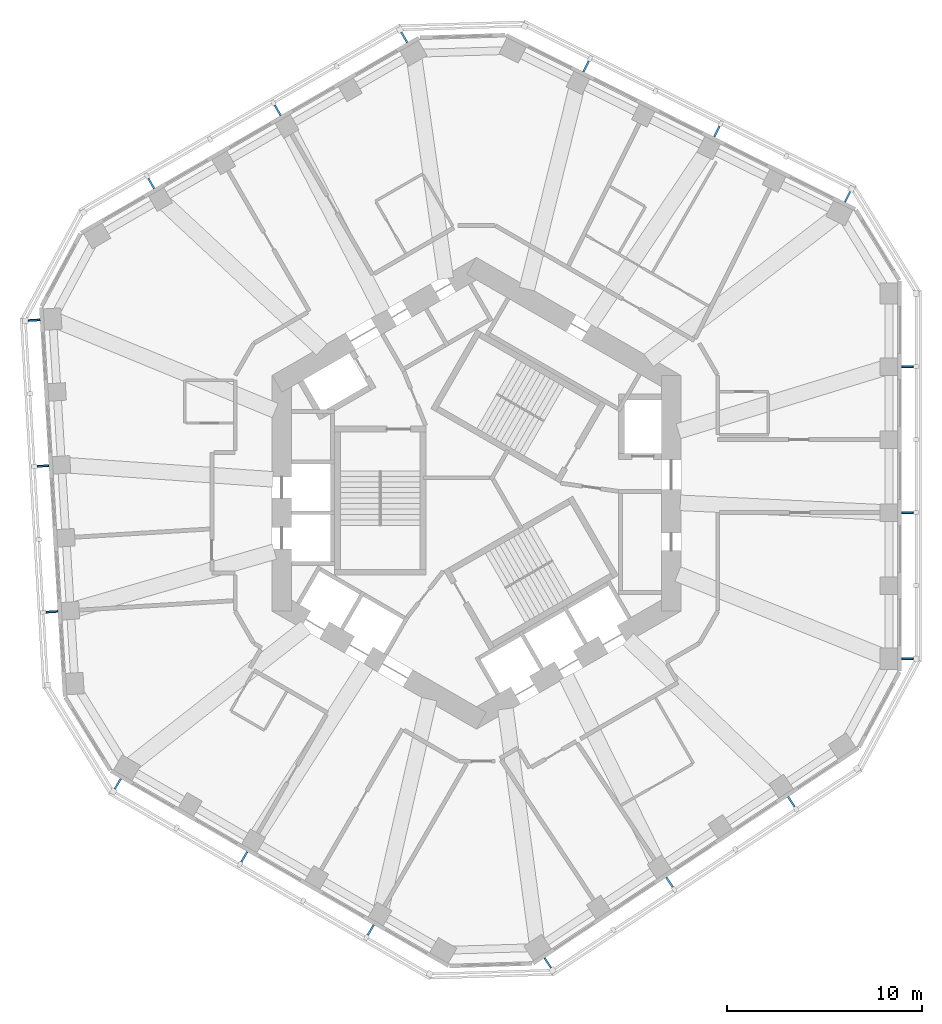
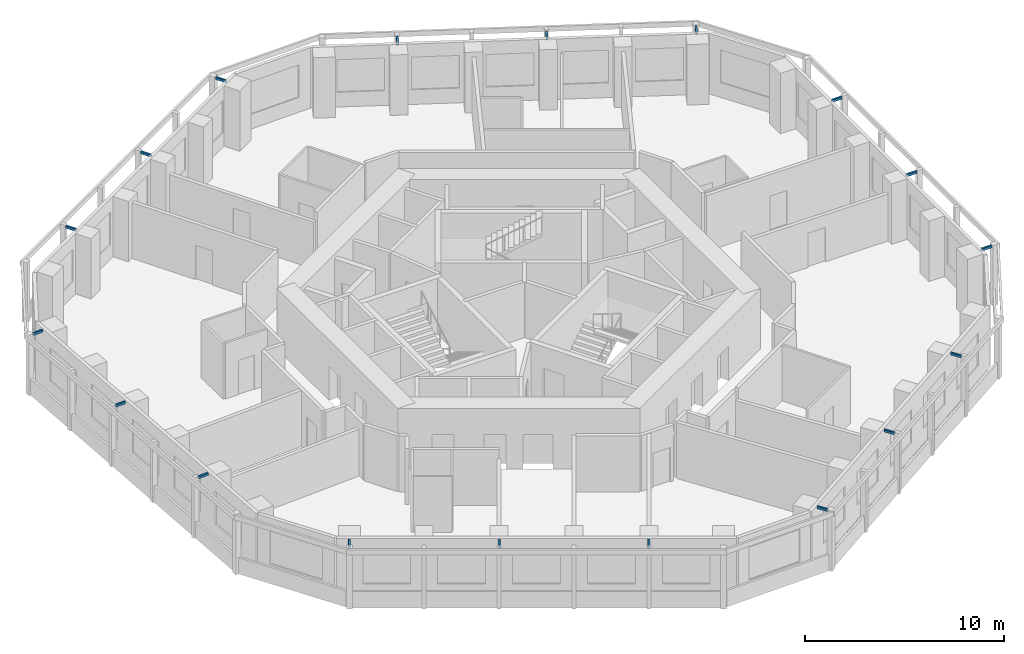
# One storey, part 10 of 11: 18 discrete accessories.
"""IFC4 building model written with IfcOpenShell, lengths in metres."""

from ifc_helpers import new_model, si_unit, direction, frame, origin, origin_2d, place, context, subcontext, project, spatial, rectangle, extrude, material, type_object, element, save


model = new_model("IFC4")

# Units and contexts
model_context = context("Model", 3, precision=1e-05, world=origin(), true_north=direction((0.0, 1.0)))
body_context = subcontext(model_context, "Body", "Model", "MODEL_VIEW")
ifc_project = project(units=[si_unit("LENGTHUNIT", "METRE"), si_unit("AREAUNIT", "SQUARE_METRE"), si_unit("VOLUMEUNIT", "CUBIC_METRE"), si_unit("PLANEANGLEUNIT", "RADIAN"), si_unit("MASSUNIT", "GRAM", prefix="KILO")], contexts=[model_context])

# Site, building, storey
site_placement = place(None, origin())
site = spatial("IfcSite", under=ifc_project, at=site_placement, CompositionType="ELEMENT")
building_placement = place(site_placement, origin())
building = spatial("IfcBuilding", under=site, at=building_placement, Name="Vanh Sen Convention Tower", CompositionType="ELEMENT")
storey_placement = place(building_placement, frame((0.0, 0.0, 183.60009765625)))
storey = spatial("IfcBuildingStorey", under=building, at=storey_placement, Name="L45", CompositionType="ELEMENT", Elevation=183.60009765625)

# Discrete accessories
ifc_material = material(Name="Steel S355", Category="steel")
discrete_accessory_type = type_object("IfcDiscreteAccessoryType", Name="Fin bracket 100 x 150", PredefinedType="BRACKET", material=ifc_material)
for number, where, z_axis, x_axis, name in (
    (1, (22.14990234375, -8.5009765625, 3.5), (0.0, 0.0, 1.0), (1.0, 0.0, 0.0), "Fin bracket E-1 L45"),
    (2, (22.14990234375, -0.992919921875, 3.5), (0.0, 0.0, 1.0), (1.0, 0.0, 0.0), "Fin bracket E-3 L45"),
    (3, (22.14990234375, 6.515380859375, 3.5), (0.0, 0.0, 1.0), (1.0, 0.0, 0.0), "Fin bracket E-5 L45"),
    (4, (19.073974609375, 15.240478515625, 3.5), (0.0, 0.0, 1.0), (0.44619781311, 0.894934361602, 0.0), "Fin bracket NE-1 L45"),
    (5, (12.3544921875, 18.5908203125, 3.5), (0.0, 0.0, 1.0), (0.44619781311, 0.894934361602, 0.0), "Fin bracket NE-3 L45"),
    (6, (5.635009765625, 21.94091796875, 3.5), (0.0, 0.0, 1.0), (0.44619781311, 0.894934361602, 0.0), "Fin bracket NE-5 L45"),
    (7, (-3.712890625, 23.432861328125, 3.5), (0.0, 0.0, 1.0), (-0.5, 0.866025403784, 0.0), "Fin bracket NW-1 L45"),
    (8, (-10.215087890625, 19.6787109375, 3.5), (0.0, 0.0, 1.0), (-0.5, 0.866025403784, 0.0), "Fin bracket NW-3 L45"),
    (9, (-16.717529296875, 15.9248046875, 3.5), (0.0, 0.0, 1.0), (-0.5, 0.866025403784, 0.0), "Fin bracket NW-5 L45"),
    (10, (-22.735595703125, 8.898193359375, 3.5), (0.0, 0.0, 1.0), (-0.998134798422, -0.061048539535, 0.0), "Fin bracket W-1 L45"),
    (11, (-22.277099609375, 1.40380859375, 3.5), (0.0, 0.0, 1.0), (-0.998134798422, -0.061048539535, 0.0), "Fin bracket W-3 L45"),
    (12, (-21.81884765625, -6.09033203125, 3.5), (0.0, 0.0, 1.0), (-0.998134798422, -0.061048539535, 0.0), "Fin bracket W-5 L45"),
    (13, (-18.43701171875, -14.931884765625, 3.5), (0.0, 0.0, 1.0), (-0.5, -0.866025403784, 0.0), "Fin bracket SW-1 L45"),
    (14, (-11.934814453125, -18.68603515625, 3.5), (0.0, 0.0, 1.0), (-0.5, -0.866025403784, 0.0), "Fin bracket SW-3 L45"),
    (15, (-5.4326171875, -22.440185546875, 3.5), (0.0, 0.0, 1.0), (-0.5, -0.866025403784, 0.0), "Fin bracket SW-5 L45"),
    (16, (3.66162109375, -24.138671875, 3.5), (0.0, 0.0, 1.0), (0.551936985312, -0.833885822067, 0.0), "Fin bracket SE-1 L45"),
    (17, (9.922607421875, -19.99462890625, 3.5), (0.0, 0.0, 1.0), (0.551936985312, -0.833885822067, 0.0), "Fin bracket SE-3 L45"),
    (18, (16.18359375, -15.8505859375, 3.5), (0.0, 0.0, 1.0), (0.551936985312, -0.833885822067, 0.0), "Fin bracket SE-5 L45"),
):
    element("IfcDiscreteAccessory", number, at=place(storey_placement, frame(where, z_axis=z_axis, x_axis=x_axis)), inside=storey, type_object=discrete_accessory_type, Name=name, PredefinedType="BRACKET", context=body_context, shape_type="SweptSolid", body=[
        extrude(rectangle(XDim=0.60009765625, YDim=0.10009765625, at=origin_2d()), origin(), (0.0, 0.0, 1.0), 0.14990234375),
    ])

save(model, "model.ifc")
